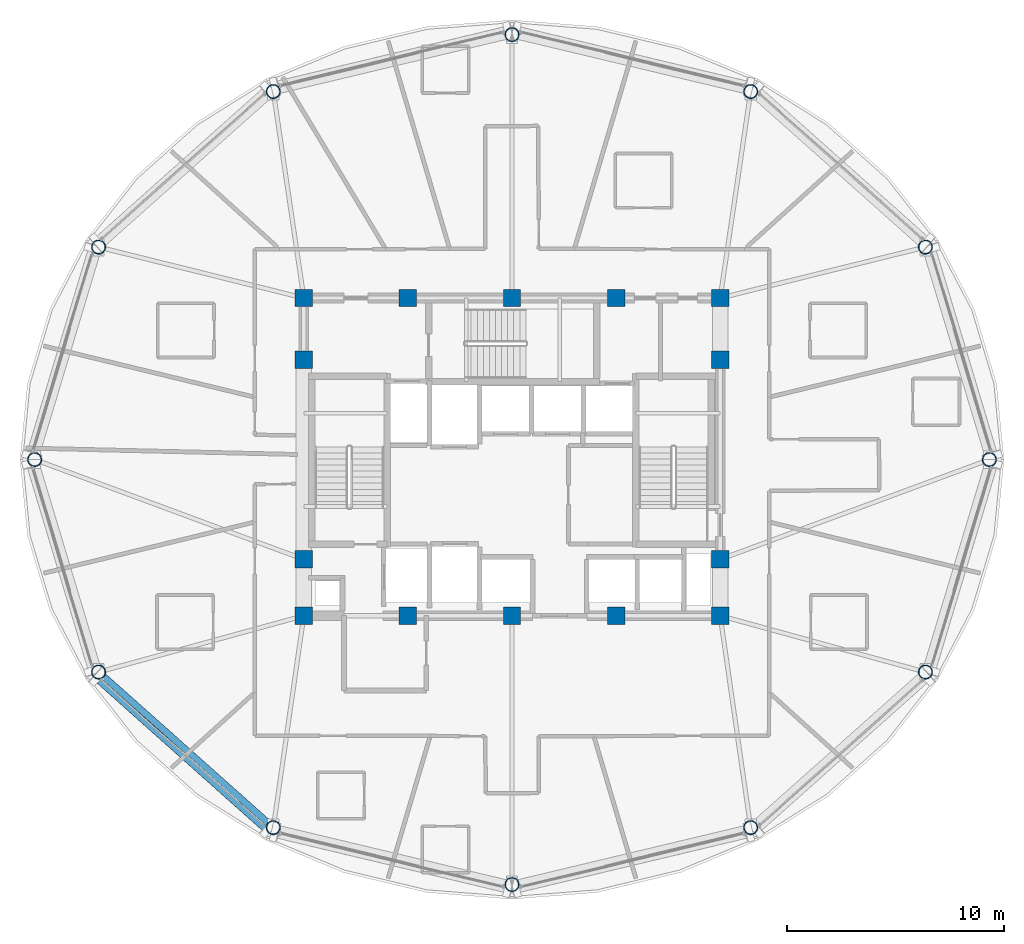
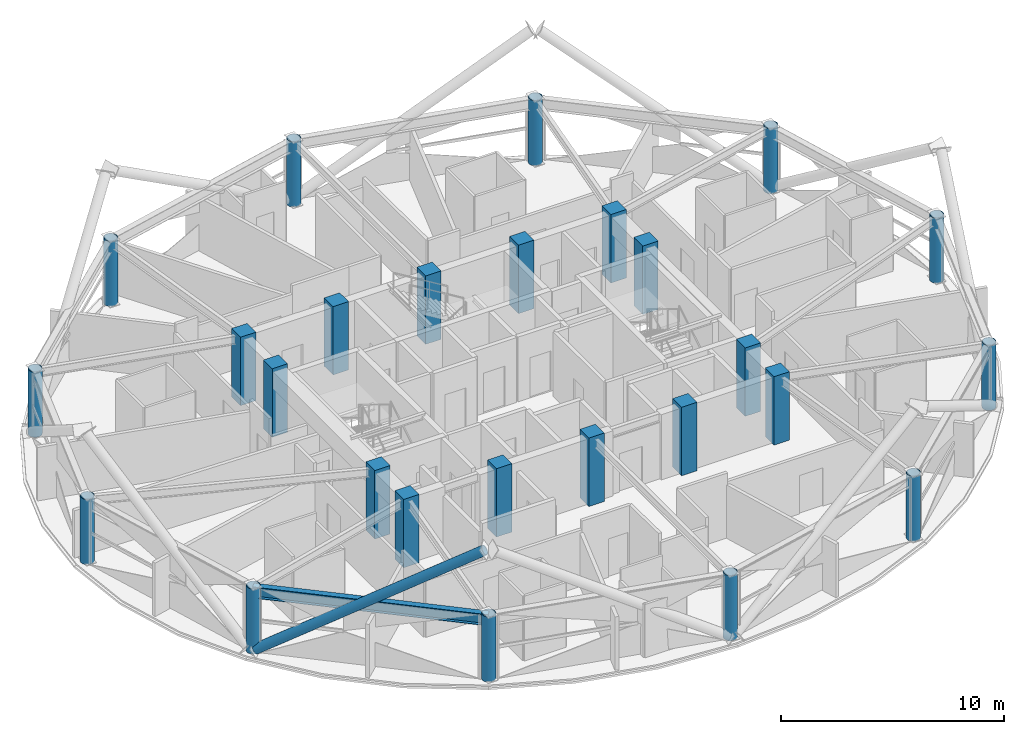
# One storey, part 1 of 29: 26 columns, 1 beam, 1 member.
"""IFC4 building model written with IfcOpenShell, lengths in metres."""

from ifc_helpers import new_model, si_unit, direction, frame, origin, origin_2d, place, context, subcontext, project, spatial, rectangle, hollow_circle, i_section, extrude, material, material_profile, profile_set, type_object, element, save


model = new_model("IFC4")

# Units and contexts
model_context = context("Model", 3, precision=1e-05, world=origin(), true_north=direction((0.0, 1.0)))
body_context = subcontext(model_context, "Body", "Model", "MODEL_VIEW")
ifc_project = project(units=[si_unit("LENGTHUNIT", "METRE"), si_unit("AREAUNIT", "SQUARE_METRE"), si_unit("VOLUMEUNIT", "CUBIC_METRE"), si_unit("PLANEANGLEUNIT", "RADIAN"), si_unit("MASSUNIT", "GRAM", prefix="KILO")], contexts=[model_context])

# Site, building, storey
site_placement = place(None, origin())
site = spatial("IfcSite", under=ifc_project, at=site_placement, CompositionType="ELEMENT")
building_placement = place(site_placement, origin())
building = spatial("IfcBuilding", under=site, at=building_placement, Name="Vantalir Tower", CompositionType="ELEMENT")
storey_placement = place(building_placement, frame((0.0, 0.0, 219.89990234375)))
storey = spatial("IfcBuildingStorey", under=building, at=storey_placement, Name="L55", CompositionType="ELEMENT", Elevation=219.89990234375)

# Columns
ifc_material_1 = material(Name="Concrete C50/60", Category="concrete")
ifc_material_profile_1 = material_profile(ifc_material_1, rectangle(XDim=0.800048828125, YDim=0.800048828125, at=origin_2d()), Name="Concrete C50/60")
ifc_profile_set_1 = profile_set([ifc_material_profile_1], Name="Concrete C50/60")
column_type_1 = type_object("IfcColumnType", Name="COL-CC-800", PredefinedType="COLUMN", material=ifc_profile_set_1)
for number, where, z_axis, x_axis, name in (
    (1, (21.89990234375, 17.800048828125, 0.0), (0.0, 0.0, 1.0), (1.0, 0.0, 0.0), "L55 Core Column CC01"),
    (2, (26.699951171875, 17.800048828125, 0.0), (0.0, 0.0, 1.0), (1.0, 0.0, 0.0), "L55 Core Column CC02"),
    (3, (31.5, 17.800048828125, 0.0), (0.0, 0.0, 1.0), (1.0, 0.0, 0.0), "L55 Core Column CC03"),
    (4, (36.300048828125, 17.800048828125, 0.0), (0.0, 0.0, 1.0), (1.0, 0.0, 0.0), "L55 Core Column CC04"),
    (5, (41.10009765625, 17.800048828125, 0.0), (0.0, 0.0, 1.0), (1.0, 0.0, 0.0), "L55 Core Column CC05"),
    (6, (21.89990234375, 20.39990234375, 0.0), (0.0, 0.0, 1.0), (1.0, 0.0, 0.0), "L55 Core Column CC06"),
    (7, (21.89990234375, 29.60009765625, 0.0), (0.0, 0.0, 1.0), (1.0, 0.0, 0.0), "L55 Core Column CC07"),
    (8, (41.10009765625, 20.39990234375, 0.0), (0.0, 0.0, 1.0), (1.0, 0.0, 0.0), "L55 Core Column CC08"),
    (9, (41.10009765625, 29.60009765625, 0.0), (0.0, 0.0, 1.0), (1.0, 0.0, 0.0), "L55 Core Column CC09"),
    (10, (21.89990234375, 32.449951171875, 0.0), (0.0, 0.0, 1.0), (1.0, 0.0, 0.0), "L55 Core Column CC10"),
    (11, (26.699951171875, 32.449951171875, 0.0), (0.0, 0.0, 1.0), (1.0, 0.0, 0.0), "L55 Core Column CC11"),
    (12, (31.5, 32.449951171875, 0.0), (0.0, 0.0, 1.0), (1.0, 0.0, 0.0), "L55 Core Column CC12"),
    (13, (36.300048828125, 32.449951171875, 0.0), (0.0, 0.0, 1.0), (1.0, 0.0, 0.0), "L55 Core Column CC13"),
    (14, (41.10009765625, 32.449951171875, 0.0), (0.0, 0.0, 1.0), (1.0, 0.0, 0.0), "L55 Core Column CC14"),
):
    element("IfcColumn", number, at=place(storey_placement, frame(where, z_axis=z_axis, x_axis=x_axis)), inside=storey, type_object=column_type_1, Name=name, PredefinedType="COLUMN", context=body_context, shape_type="SweptSolid", body=[
        extrude(rectangle(XDim=0.800048828125, YDim=0.800048828125, at=origin_2d()), origin(), (0.0, 0.0, 1.0), 3.75),
    ])
ifc_material_2 = material(Name="Steel S460", Category="steel")
ifc_material_profile_2 = material_profile(ifc_material_2, hollow_circle(Radius=0.324951171875, WallThickness=0.030029296875, at=origin_2d()), Name="Steel S460")
ifc_profile_set_2 = profile_set([ifc_material_profile_2], Name="Steel S460")
column_type_2 = type_object("IfcColumnType", Name="COL-RC-650", PredefinedType="COLUMN", material=ifc_profile_set_2)
for number, where, z_axis, x_axis, name in (
    (15, (53.512939453125, 25.0, 0.0), (0.0, 0.0, 1.0), (1.0, 0.0, 0.0), "L55 Perimeter Ring Column RC01"),
    (16, (50.56396484375, 34.798095703125, 0.0), (0.0, 0.0, 1.0), (1.0, 0.0, 0.0), "L55 Perimeter Ring Column RC02"),
    (17, (42.506103515625, 41.970947265625, 0.0), (0.0, 0.0, 1.0), (1.0, 0.0, 0.0), "L55 Perimeter Ring Column RC03"),
    (18, (31.5, 44.595947265625, 0.0), (0.0, 0.0, 1.0), (1.0, 0.0, 0.0), "L55 Perimeter Ring Column RC04"),
    (19, (20.493896484375, 41.970947265625, 0.0), (0.0, 0.0, 1.0), (1.0, 0.0, 0.0), "L55 Perimeter Ring Column RC05"),
    (20, (12.43603515625, 34.798095703125, 0.0), (0.0, 0.0, 1.0), (1.0, 0.0, 0.0), "L55 Perimeter Ring Column RC06"),
    (21, (9.487060546875, 25.0, 0.0), (0.0, 0.0, 1.0), (1.0, 0.0, 0.0), "L55 Perimeter Ring Column RC07"),
    (22, (12.43603515625, 15.201904296875, 0.0), (0.0, 0.0, 1.0), (1.0, 0.0, 0.0), "L55 Perimeter Ring Column RC08"),
    (23, (20.492919921875, 8.029052734375, 0.0), (0.0, 0.0, 1.0), (1.0, 0.0, 0.0), "L55 Perimeter Ring Column RC09"),
    (24, (31.5, 5.404052734375, 0.0), (0.0, 0.0, 1.0), (1.0, 0.0, 0.0), "L55 Perimeter Ring Column RC10"),
    (25, (42.506103515625, 8.029052734375, 0.0), (0.0, 0.0, 1.0), (1.0, 0.0, 0.0), "L55 Perimeter Ring Column RC11"),
    (26, (50.56396484375, 15.201904296875, 0.0), (0.0, 0.0, 1.0), (1.0, 0.0, 0.0), "L55 Perimeter Ring Column RC12"),
):
    element("IfcColumn", number, at=place(storey_placement, frame(where, z_axis=z_axis, x_axis=x_axis)), inside=storey, type_object=column_type_2, Name=name, PredefinedType="COLUMN", context=body_context, shape_type="SweptSolid", body=[
        extrude(hollow_circle(Radius=0.324951171875, WallThickness=0.030029296875, at=origin_2d()), origin(), (0.0, 0.0, 1.0), 3.570068359375),
    ])

# Beam
ifc_material_profile_3 = material_profile(ifc_material_2, i_section(OverallWidth=0.306884765625, OverallDepth=0.6201171875, WebThickness=0.01416015625, FlangeThickness=0.023681640625, at=origin_2d()), Name="Steel S460")
ifc_profile_set_3 = profile_set([ifc_material_profile_3], Name="Steel S460")
beam_type = type_object("IfcBeamType", Name="BM-RG-610x305", PredefinedType="USERDEFINED", material=ifc_profile_set_3)
beam_placement = place(storey_placement, frame((12.43603515625, 15.201904296875, 3.260009765625), z_axis=(0.7468946348, -0.66494240691, 0.0), x_axis=(0.66494240691, 0.7468946348, 0.0)))
element("IfcBeam", 27, at=beam_placement, inside=storey, type_object=beam_type, Name="L55 Circumferential Ring Girder 08", ObjectType="GIRDER", PredefinedType="USERDEFINED", context=body_context, shape_type="SweptSolid", body=[
    extrude(i_section(OverallWidth=0.306884765625, OverallDepth=0.6201171875, WebThickness=0.01416015625, FlangeThickness=0.023681640625, at=origin_2d()), origin(), (0.0, 0.0, 1.0), 10.787109375),
])

# Member
ifc_material_profile_4 = material_profile(ifc_material_2, hollow_circle(Radius=0.25, WallThickness=0.031982421875, at=origin_2d()), Name="Steel S460")
ifc_profile_set_4 = profile_set([ifc_material_profile_4], Name="Steel S460")
member_type = type_object("IfcMemberType", Name="MEM-DB-500x32", PredefinedType="BRACE", material=ifc_profile_set_4)
member_placement = place(storey_placement, frame((12.408935546875, 14.985107421875, 0.201171875), z_axis=(0.623717777386, -0.555881051272, 0.549520146136), x_axis=(0.665342966023, 0.746537833981, 0.0)))
element("IfcMember", 28, at=member_placement, inside=storey, type_object=member_type, Name="L55 Perimeter S460 Diagrid Brace R22L", PredefinedType="BRACE", context=body_context, shape_type="SweptSolid", body=[
    extrude(hollow_circle(Radius=0.25, WallThickness=0.031982421875, at=origin_2d()), origin(), (0.0, 0.0, 1.0), 12.589111328125),
])

save(model, "model.ifc")
